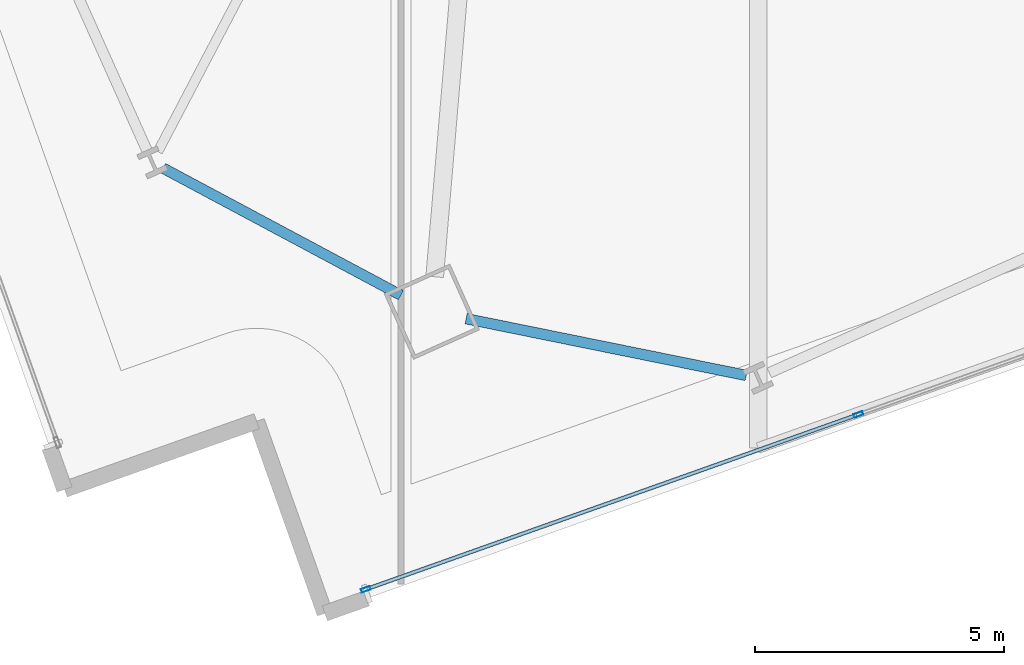
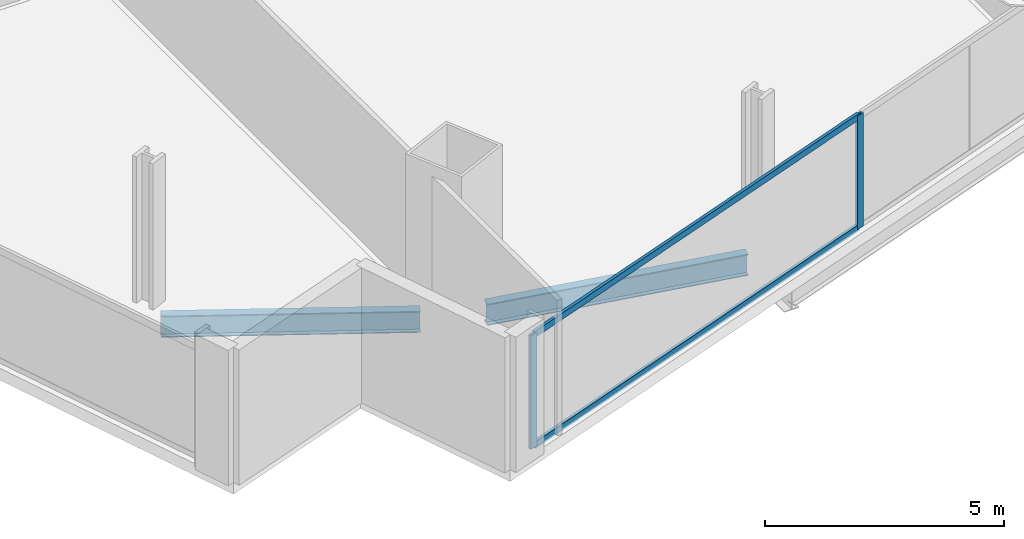
# One storey, part 3 of 33: 4 members, 2 beams, 1 element without a shape of its own.
"""IFC4 building model written with IfcOpenShell, lengths in metres."""

from ifc_helpers import new_model, si_unit, direction, frame, origin, origin_2d, place, context, subcontext, project, spatial, hollow_rectangle, i_section, extrude, material, material_profile, profile_set, type_object, element, aggregate, save


model = new_model("IFC4")

# Units and contexts
model_context = context("Model", 3, precision=1e-05, world=origin(), true_north=direction((0.0, 1.0)))
body_context = subcontext(model_context, "Body", "Model", "MODEL_VIEW")
ifc_project = project(units=[si_unit("LENGTHUNIT", "METRE"), si_unit("AREAUNIT", "SQUARE_METRE"), si_unit("VOLUMEUNIT", "CUBIC_METRE"), si_unit("PLANEANGLEUNIT", "RADIAN"), si_unit("MASSUNIT", "GRAM", prefix="KILO")], contexts=[model_context])

# Site, building, storey
site_placement = place(None, origin())
site = spatial("IfcSite", under=ifc_project, at=site_placement, CompositionType="ELEMENT")
building_placement = place(site_placement, origin())
building = spatial("IfcBuilding", under=site, at=building_placement, Name="Haldenkirk Collegiate Tower", CompositionType="ELEMENT")
storey_placement = place(building_placement, frame((0.0, 0.0, 94.199951171875)))
storey = spatial("IfcBuildingStorey", under=building, at=storey_placement, Name="L22", CompositionType="ELEMENT", Elevation=94.199951171875)

# Beams
ifc_material_1 = material(Name="Steel ASTM A992 Grade 50", Category="steel")
ifc_material_profile_1 = material_profile(ifc_material_1, i_section(OverallWidth=0.2119140625, OverallDepth=0.5439453125, WebThickness=0.01318359375, FlangeThickness=0.021240234375, at=origin_2d()), Name="W21X83")
ifc_profile_set_1 = profile_set([ifc_material_profile_1], Name="Steel ASTM A992 Grade 50")
beam_type = type_object("IfcBeamType", Name="BM-SPANDREL-W21X83", PredefinedType="SPANDREL", material=ifc_profile_set_1)
beam_1_placement = place(storey_placement, frame((26.3076171875, 1.477783203125, -0.572021484375), z_axis=(0.980077587146, -0.19861501246, 0.0), x_axis=(0.19861501246, 0.980077587146, 0.0)))
element("IfcBeam", 1, at=beam_1_placement, inside=storey, type_object=beam_type, Name="L22 perimeter spandrel beam 01", PredefinedType="SPANDREL", context=body_context, shape_type="SweptSolid", body=[
    extrude(i_section(OverallWidth=0.2119140625, OverallDepth=0.5439453125, WebThickness=0.01318359375, FlangeThickness=0.021240234375, at=origin_2d()), origin(), (0.0, 0.0, 1.0), 5.747802734375),
])
beam_2_placement = place(storey_placement, frame((20.21240234375, 4.505615234375, -0.572021484375), z_axis=(0.881987493029, -0.471272810737, 0.0), x_axis=(0.471272810737, 0.881987493029, 0.0)))
element("IfcBeam", 2, at=beam_2_placement, inside=storey, type_object=beam_type, Name="L22 perimeter spandrel beam 16", PredefinedType="SPANDREL", context=body_context, shape_type="SweptSolid", body=[
    extrude(i_section(OverallWidth=0.2119140625, OverallDepth=0.5439453125, WebThickness=0.01318359375, FlangeThickness=0.021240234375, at=origin_2d()), origin(), (0.0, 0.0, 1.0), 5.42236328125),
])

# Curtain wall, members
ifc_material_2 = material(Name="Anodised architectural bronze aluminium", Category="aluminium")
curtain_wall_type = type_object("IfcCurtainWallType", Name="CW-SYS2-CONCAVE", PredefinedType="USERDEFINED", material=ifc_material_2)
curtain_wall_placement = place(storey_placement, origin())
curtain_wall = element("IfcCurtainWall", 3, at=curtain_wall_placement, inside=storey, type_object=curtain_wall_type, Name="L22 South concave recessed bronze-anodised curtain wall", ObjectType="UNITISED CURTAIN WALL", PredefinedType="USERDEFINED")
ifc_material_profile_2 = material_profile(ifc_material_2, hollow_rectangle(XDim=0.074951171875, YDim=0.18994140625, WallThickness=0.0048828125, at=origin_2d()), Name="CW-MUL-02")
ifc_profile_set_2 = profile_set([ifc_material_profile_2], Name="Anodised architectural bronze aluminium")
member_type_1 = type_object("IfcMemberType", Name="CW-MUL-02", PredefinedType="MULLION", material=ifc_profile_set_2)
member_1_placement = place(storey_placement, frame((34.1962890625, -0.4482421875, 0.0), z_axis=(0.0, 0.0, 1.0), x_axis=(0.334627839055, -0.942350364424, 0.0)))
member_1 = element("IfcMember", 4, at=member_1_placement, type_object=member_type_1, Name="CW-02 mullion 4", PredefinedType="MULLION", context=body_context, shape_type="SweptSolid", body=[
    extrude(hollow_rectangle(XDim=0.074951171875, YDim=0.18994140625, WallThickness=0.0048828125, at=origin_2d()), origin(), (0.0, 0.0, 1.0), 2.901123046875),
])
member_2_placement = place(storey_placement, frame((24.2900390625, -3.966064453125, 0.0), z_axis=(0.0, 0.0, 1.0), x_axis=(0.334627839055, -0.942350364424, 0.0)))
member_2 = element("IfcMember", 5, at=member_2_placement, type_object=member_type_1, Name="CW-02 mullion 5", PredefinedType="MULLION", context=body_context, shape_type="SweptSolid", body=[
    extrude(hollow_rectangle(XDim=0.074951171875, YDim=0.18994140625, WallThickness=0.0048828125, at=origin_2d()), origin(), (0.0, 0.0, 1.0), 2.901123046875),
])
ifc_material_profile_3 = material_profile(ifc_material_2, hollow_rectangle(XDim=0.074951171875, YDim=0.159912109375, WallThickness=0.0048828125, at=origin_2d()), Name="CW-TRN-02")
ifc_profile_set_3 = profile_set([ifc_material_profile_3], Name="Anodised architectural bronze aluminium")
member_type_2 = type_object("IfcMemberType", Name="CW-TRN-02", PredefinedType="USERDEFINED", material=ifc_profile_set_3)
member_3_placement = place(storey_placement, frame((34.1611328125, -0.4609375, 0.03759765625), z_axis=(-0.942352102542, -0.334622944275, 0.0), x_axis=(0.334622944275, -0.942352102542, 0.0)))
member_3 = element("IfcMember", 6, at=member_3_placement, type_object=member_type_2, Name="CW-02 transom 4.1", ObjectType="TRANSOM", PredefinedType="USERDEFINED", context=body_context, shape_type="SweptSolid", body=[
    extrude(hollow_rectangle(XDim=0.074951171875, YDim=0.159912109375, WallThickness=0.0048828125, at=origin_2d()), origin(), (0.0, 0.0, 1.0), 10.437744140625),
])
member_4_placement = place(storey_placement, frame((34.1611328125, -0.4609375, 2.863525390625), z_axis=(-0.942352102542, -0.334622944275, 0.0), x_axis=(0.334622944275, -0.942352102542, 0.0)))
member_4 = element("IfcMember", 7, at=member_4_placement, type_object=member_type_2, Name="CW-02 transom 4.2", ObjectType="TRANSOM", PredefinedType="USERDEFINED", context=body_context, shape_type="SweptSolid", body=[
    extrude(hollow_rectangle(XDim=0.074951171875, YDim=0.159912109375, WallThickness=0.0048828125, at=origin_2d()), origin(), (0.0, 0.0, 1.0), 10.437744140625),
])
aggregate(curtain_wall, [member_1, member_2, member_3, member_4])

save(model, "model.ifc")
